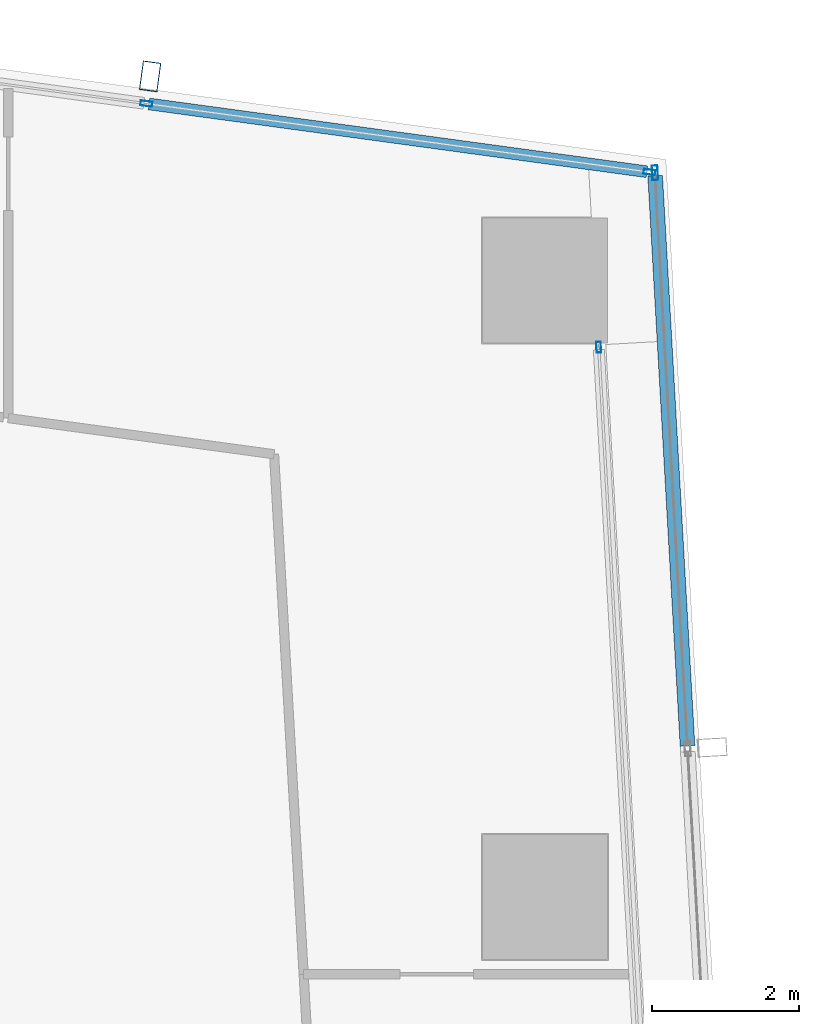
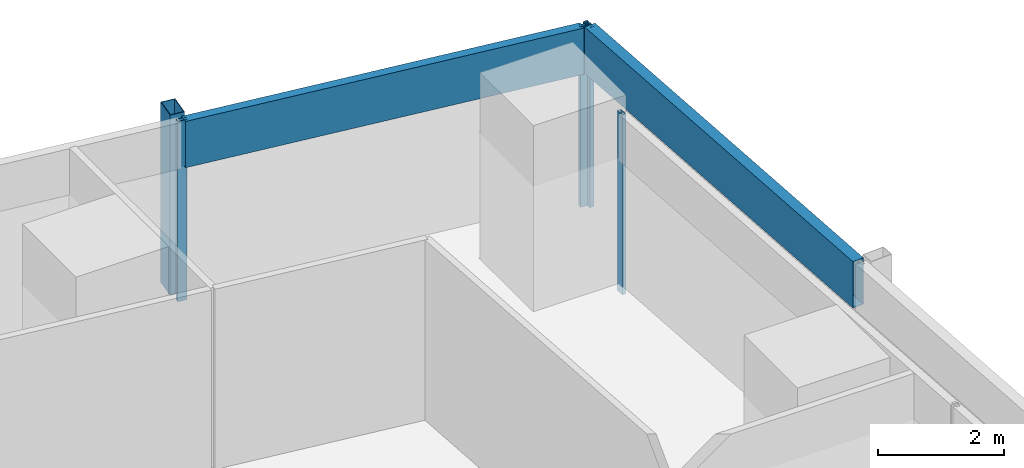
# One storey, part 24 of 39: 7 members, 3 elements without a shape of their own.
"""IFC4 building model written with IfcOpenShell, lengths in metres."""

from ifc_helpers import new_model, si_unit, direction, frame, origin, origin_2d, place, context, subcontext, project, spatial, hollow_rectangle, extrude, material, material_profile, profile_set, type_object, element, aggregate, save


model = new_model("IFC4")

# Units and contexts
model_context = context("Model", 3, precision=1e-05, world=origin(), true_north=direction((0.0, 1.0)))
body_context = subcontext(model_context, "Body", "Model", "MODEL_VIEW")
ifc_project = project(units=[si_unit("LENGTHUNIT", "METRE"), si_unit("AREAUNIT", "SQUARE_METRE"), si_unit("VOLUMEUNIT", "CUBIC_METRE"), si_unit("PLANEANGLEUNIT", "RADIAN"), si_unit("MASSUNIT", "GRAM", prefix="KILO")], contexts=[model_context])

# Site, building, storey
site_placement = place(None, origin())
site = spatial("IfcSite", under=ifc_project, at=site_placement, CompositionType="ELEMENT")
building_placement = place(site_placement, origin())
building = spatial("IfcBuilding", under=site, at=building_placement, Name="Rekha Terrace Tower", CompositionType="ELEMENT")
storey_placement = place(building_placement, frame((0.0, 0.0, 183.949951171875)))
storey = spatial("IfcBuildingStorey", under=building, at=storey_placement, Name="L46", CompositionType="ELEMENT", Elevation=183.949951171875)

# Curtain wall, member
ifc_material_1 = material(Name="Aluminium framing", Category="aluminium")
curtain_wall_type_1 = type_object("IfcCurtainWallType", Name="CW3 north unitised glazing", PredefinedType="USERDEFINED", material=ifc_material_1)
curtain_wall_1_placement = place(storey_placement, origin())
curtain_wall_1 = element("IfcCurtainWall", 1, at=curtain_wall_1_placement, inside=storey, type_object=curtain_wall_type_1, Name="CW3 unitised curtain wall", ObjectType="UNITISED CURTAIN WALL", PredefinedType="USERDEFINED")
ifc_material_2 = material(Name="Steel S355 with fluorocarbon finish", Category="steel")
ifc_material_profile_1 = material_profile(ifc_material_2, hollow_rectangle(XDim=0.25, YDim=0.39990234375, WallThickness=0.012451171875, at=origin_2d()), Name="RHS400x250x12.5")
ifc_profile_set_1 = profile_set([ifc_material_profile_1], Name="Steel S355 with fluorocarbon finish")
member_type_1 = type_object("IfcMemberType", Name="BL1 facade blade RHS 400 x 250", PredefinedType="USERDEFINED", material=ifc_profile_set_1)
member_1_placement = place(storey_placement, frame((53.419921875, 61.583251953125, 0.0), z_axis=(0.0, 0.0, 1.0), x_axis=(-0.990867309488, 0.134840553943, 0.0)))
member_1 = element("IfcMember", 2, at=member_1_placement, type_object=member_type_1, Name="Facade blade", ObjectType="FACADE BLADE", PredefinedType="USERDEFINED", context=body_context, shape_type="SweptSolid", body=[
    extrude(hollow_rectangle(XDim=0.25, YDim=0.39990234375, WallThickness=0.012451171875, at=origin_2d()), origin(), (0.0, 0.0, 1.0), 3.5),
])

curtain_wall_type_2 = type_object("IfcCurtainWallType", Name="CW1 double skin inner glazing", PredefinedType="USERDEFINED", material=ifc_material_1)
curtain_wall_2_placement = place(storey_placement, origin())
curtain_wall_2 = element("IfcCurtainWall", 3, at=curtain_wall_2_placement, inside=storey, type_object=curtain_wall_type_2, Name="CW1 double skin inner glazing", ObjectType="DOUBLE SKIN INNER GLAZING", PredefinedType="USERDEFINED")
ifc_material_3 = material(Name="Aluminium mullion section", Category="aluminium")
ifc_material_profile_2 = material_profile(ifc_material_3, hollow_rectangle(XDim=0.06494140625, YDim=0.14990234375, WallThickness=0.00390625, at=origin_2d()), Name="AL RHS 65x150")
ifc_profile_set_2 = profile_set([ifc_material_profile_2], Name="Aluminium mullion section")
member_type_2 = type_object("IfcMemberType", Name="CW1 mullion RHS 65 x 150", PredefinedType="MULLION", material=ifc_profile_set_2)
member_2_placement = place(storey_placement, frame((59.533447265625, 57.89208984375, 0.0), z_axis=(0.0, 0.0, 1.0), x_axis=(-0.998392782918, -0.056673194877, 0.0)))
member_2 = element("IfcMember", 4, at=member_2_placement, type_object=member_type_2, Name="CW1 mullion 4", PredefinedType="MULLION", context=body_context, shape_type="SweptSolid", body=[
    extrude(hollow_rectangle(XDim=0.06494140625, YDim=0.14990234375, WallThickness=0.00390625, at=origin_2d()), origin(), (0.0, 0.0, 1.0), 3.5),
])
aggregate(curtain_wall_2, [member_2])

# Curtain wall, members
curtain_wall_type_3 = type_object("IfcCurtainWallType", Name="CW2 double skin outer glazing", PredefinedType="USERDEFINED", material=ifc_material_1)
curtain_wall_3_placement = place(storey_placement, origin())
curtain_wall_3 = element("IfcCurtainWall", 5, at=curtain_wall_3_placement, inside=storey, type_object=curtain_wall_type_3, Name="CW2 double skin outer glazing", ObjectType="DOUBLE SKIN OUTER GLAZING", PredefinedType="USERDEFINED")
ifc_material_profile_3 = material_profile(ifc_material_3, hollow_rectangle(XDim=0.080078125, YDim=0.199951171875, WallThickness=0.00390625, at=origin_2d()), Name="AL RHS 80x200")
ifc_profile_set_3 = profile_set([ifc_material_profile_3], Name="Aluminium mullion section")
member_type_3 = type_object("IfcMemberType", Name="CW2 mullion RHS 80 x 200", PredefinedType="MULLION", material=ifc_profile_set_3)
member_3_placement = place(storey_placement, frame((60.300048828125, 60.269287109375, 0.0), z_axis=(0.0, 0.0, 1.0), x_axis=(-0.998392782919, -0.05667319486, 0.0)))
member_3 = element("IfcMember", 6, at=member_3_placement, type_object=member_type_3, Name="CW2 mullion 5", PredefinedType="MULLION", context=body_context, shape_type="SweptSolid", body=[
    extrude(hollow_rectangle(XDim=0.080078125, YDim=0.199951171875, WallThickness=0.00390625, at=origin_2d()), origin(), (0.0, 0.0, 1.0), 3.5),
])
ifc_material_4 = material(Name="Insulated aluminium spandrel box", Category="aluminium")
ifc_material_profile_4 = material_profile(ifc_material_4, hollow_rectangle(XDim=0.199951171875, YDim=0.89990234375, WallThickness=0.0029296875, at=origin_2d()), Name="AL SPANDREL BOX 200x900")
ifc_profile_set_4 = profile_set([ifc_material_profile_4], Name="Insulated aluminium spandrel box")
member_type_4 = type_object("IfcMemberType", Name="CW2 spandrel transom 200 x 900", PredefinedType="USERDEFINED", material=ifc_profile_set_4)
member_4_placement = place(storey_placement, frame((60.743408203125, 52.45849609375, 3.050048828125), z_axis=(-0.05667908121, 0.998392448766, 0.0), x_axis=(-0.998392448766, -0.05667908121, 0.0)))
member_4 = element("IfcMember", 7, at=member_4_placement, type_object=member_type_4, Name="CW2 spandrel transom 4", ObjectType="TRANSOM", PredefinedType="USERDEFINED", context=body_context, shape_type="SweptSolid", body=[
    extrude(hollow_rectangle(XDim=0.199951171875, YDim=0.89990234375, WallThickness=0.0029296875, at=origin_2d()), origin(), (0.0, 0.0, 1.0), 7.783447265625),
])
aggregate(curtain_wall_3, [member_3, member_4])

# Member
ifc_material_profile_5 = material_profile(ifc_material_3, hollow_rectangle(XDim=0.070068359375, YDim=0.159912109375, WallThickness=0.00390625, at=origin_2d()), Name="AL RHS 70x160")
ifc_profile_set_5 = profile_set([ifc_material_profile_5], Name="Aluminium mullion section")
member_type_5 = type_object("IfcMemberType", Name="CW3 mullion RHS 70 x 160", PredefinedType="MULLION", material=ifc_profile_set_5)
member_5_placement = place(storey_placement, frame((60.22509765625, 60.27880859375, 0.0), z_axis=(0.0, 0.0, 1.0), x_axis=(-0.134840840416, -0.990867270504, 0.0)))
member_5 = element("IfcMember", 8, at=member_5_placement, type_object=member_type_5, Name="CW3 mullion 1", PredefinedType="MULLION", context=body_context, shape_type="SweptSolid", body=[
    extrude(hollow_rectangle(XDim=0.070068359375, YDim=0.159912109375, WallThickness=0.00390625, at=origin_2d()), origin(), (0.0, 0.0, 1.0), 3.5),
])

member_6_placement = place(storey_placement, frame((53.369384765625, 61.211669921875, 0.0), z_axis=(0.0, 0.0, 1.0), x_axis=(-0.134840840416, -0.990867270504, 0.0)))
member_6 = element("IfcMember", 9, at=member_6_placement, type_object=member_type_5, Name="CW3 mullion 2", PredefinedType="MULLION", context=body_context, shape_type="SweptSolid", body=[
    extrude(hollow_rectangle(XDim=0.070068359375, YDim=0.159912109375, WallThickness=0.00390625, at=origin_2d()), origin(), (0.0, 0.0, 1.0), 3.5),
])

ifc_material_profile_6 = material_profile(ifc_material_4, hollow_rectangle(XDim=0.159912109375, YDim=0.89990234375, WallThickness=0.0029296875, at=origin_2d()), Name="AL SPANDREL BOX 160x900")
ifc_profile_set_6 = profile_set([ifc_material_profile_6], Name="Insulated aluminium spandrel box")
member_type_6 = type_object("IfcMemberType", Name="CW3 spandrel transom 160 x 900", PredefinedType="USERDEFINED", material=ifc_profile_set_6)
member_7_placement = place(storey_placement, frame((60.190185546875, 60.283447265625, 3.050048828125), z_axis=(-0.990865276141, 0.134855495022, 0.0), x_axis=(-0.134855495022, -0.990865276141, 0.0)))
member_7 = element("IfcMember", 10, at=member_7_placement, type_object=member_type_6, Name="CW3 spandrel transom 1", ObjectType="TRANSOM", PredefinedType="USERDEFINED", context=body_context, shape_type="SweptSolid", body=[
    extrude(hollow_rectangle(XDim=0.159912109375, YDim=0.89990234375, WallThickness=0.0029296875, at=origin_2d()), origin(), (0.0, 0.0, 1.0), 6.8486328125),
])

aggregate(curtain_wall_1, [member_5, member_6, member_7, member_1])

save(model, "model.ifc")
